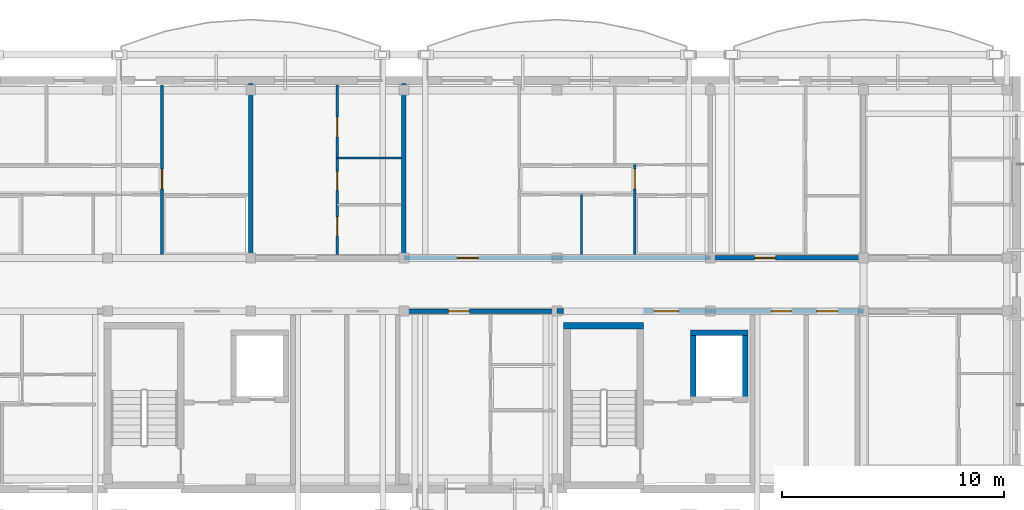
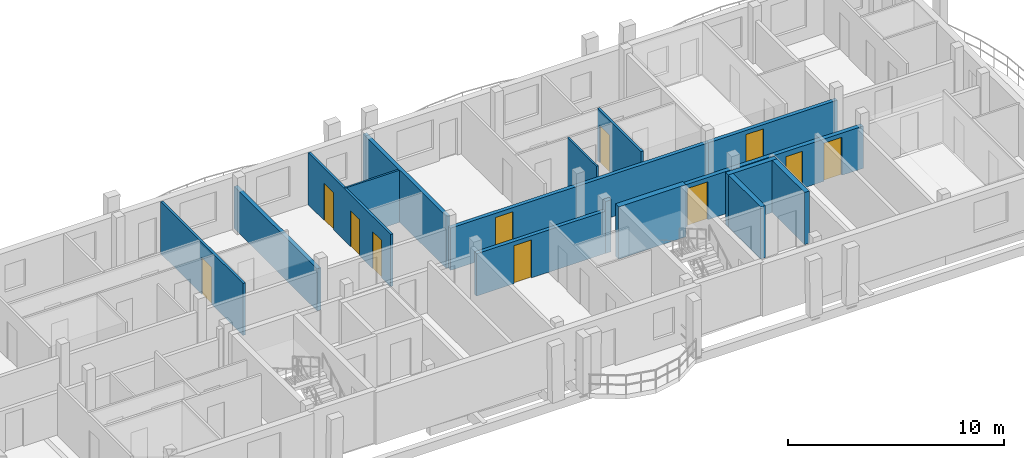
# One storey, part 33 of 48: 16 walls, 11 doors, 11 openings.
"""IFC4 building model written with IfcOpenShell, lengths in metres."""

from ifc_helpers import new_model, si_unit, direction, frame, frame_2d, origin, origin_with_axes, place, context, subcontext, project, spatial, rectangle, extrude, material, layer, layer_set, type_object, element, fill, save


model = new_model("IFC4")

# Units and contexts
model_context = context("Model", 3, precision=1e-05, world=origin(), true_north=direction((0.0, 1.0)))
body_context = subcontext(model_context, "Body", "Model", "MODEL_VIEW")
ifc_project = project(units=[si_unit("LENGTHUNIT", "METRE"), si_unit("AREAUNIT", "SQUARE_METRE"), si_unit("VOLUMEUNIT", "CUBIC_METRE"), si_unit("PLANEANGLEUNIT", "RADIAN"), si_unit("MASSUNIT", "GRAM", prefix="KILO")], contexts=[model_context])

# Site, building, storey
site_placement = place(None, origin())
site = spatial("IfcSite", under=ifc_project, at=site_placement, CompositionType="ELEMENT")
building_placement = place(site_placement, origin())
building = spatial("IfcBuilding", under=site, at=building_placement, Name="Zavelmont Quarter", CompositionType="ELEMENT")
storey_placement = place(building_placement, frame((0.0, 0.0, 17.60009765625)))
storey = spatial("IfcBuildingStorey", under=building, at=storey_placement, Name="L05", CompositionType="ELEMENT", Elevation=17.60009765625)

# Walls
ifc_material_1 = material(Name="Calcium-silicate blockwork and acoustic plaster", Category="masonry")
ifc_layer_1 = layer(ifc_material_1, 0.199951171875)
ifc_layer_set_1 = layer_set([ifc_layer_1], Name="Calcium-silicate blockwork and acoustic plaster")
wall_type_1 = type_object("IfcWallType", Name="IW01", PredefinedType="PARTITIONING", material=ifc_layer_set_1)
wall_1_placement = place(storey_placement, frame((133.5, 108.14990234375, 0.0), z_axis=(0.0, 0.0, 1.0), x_axis=(0.0, 1.0, 0.0)))
element("IfcWall", 1, at=wall_1_placement, inside=storey, type_object=wall_type_1, Name="L05 Inter-dwelling compartment wall IW01", PredefinedType="PARTITIONING", context=body_context, shape_type="SweptSolid", body=[
    extrude(rectangle(XDim=7.7001953125, YDim=0.199951171875, at=frame_2d((3.85009765625, 0.0))), origin(), (0.0, 0.0, 1.0), 2.389892578125),
])
wall_2_placement = place(storey_placement, frame((140.39990234375, 108.14990234375, 0.0), z_axis=(0.0, 0.0, 1.0), x_axis=(0.0, 1.0, 0.0)))
element("IfcWall", 2, at=wall_2_placement, inside=storey, type_object=wall_type_1, Name="L05 Inter-dwelling compartment wall IW01", PredefinedType="PARTITIONING", context=body_context, shape_type="SweptSolid", body=[
    extrude(rectangle(XDim=7.7001953125, YDim=0.199951171875, at=frame_2d((3.85009765625, 0.0))), origin(), (0.0, 0.0, 1.0), 2.949951171875),
])

# Wall, opening, door
wall_3_placement = place(storey_placement, frame((140.39990234375, 108.0, 0.0), z_axis=(0.0, 0.0, 1.0), x_axis=(1.0, 0.0, 0.0)))
wall_3 = element("IfcWall", 3, at=wall_3_placement, inside=storey, type_object=wall_type_1, Name="L05 Corridor compartment wall IW01", PredefinedType="PARTITIONING", context=body_context, shape_type="SweptSolid", body=[
    extrude(rectangle(XDim=13.800048828125, YDim=0.199951171875, at=frame_2d((6.89990234375, 0.0))), origin(), (0.0, 0.0, 1.0), 2.389892578125),
])
opening_1_placement = place(wall_3_placement, frame((2.39990234375, 0.0, 0.0)))
opening_1 = element("IfcOpeningElement", 4, at=opening_1_placement, cuts=wall_3, Name="Opening DR02", PredefinedType="OPENING", context=body_context, shape_type="SweptSolid", body=[
    extrude(rectangle(XDim=0.949951171875, YDim=2.14990234375, at=frame_2d((0.47509765625, 1.074951171875))), frame((0.0, 0.11181640625, 0.0), z_axis=(0.0, -1.0, 0.0), x_axis=(1.0, 0.0, 0.0)), (0.0, 0.0, 1.0), 0.223876953125),
])
ifc_material_2 = material(Name="Solid-core oak fire leaf in steel frame", Category="steel")
door_type_1 = type_object("IfcDoorType", Name="DR02", OperationType="NOTDEFINED", PredefinedType="DOOR", material=ifc_material_2)
door_1_placement = place(opening_1_placement, origin_with_axes())
door_1 = element("IfcDoor", 5, at=door_1_placement, inside=storey, type_object=door_type_1, Name="L05 door DR02", OperationType="SINGLE_SWING_RIGHT", OverallHeight=2.14990234375, OverallWidth=0.949951171875, PredefinedType="DOOR", context=body_context, shape_type="SweptSolid", body=[
    extrude(rectangle(XDim=0.949951171875, YDim=2.14990234375, at=frame_2d((0.47509765625, 1.074951171875))), frame((0.0, 0.02490234375, 0.0), z_axis=(0.0, -1.0, 0.0), x_axis=(1.0, 0.0, 0.0)), (0.0, 0.0, 1.0), 0.050048828125),
])
fill(opening_1, door_1)

wall_4_placement = place(storey_placement, frame((154.199951171875, 108.0, 0.0), z_axis=(0.0, 0.0, 1.0), x_axis=(1.0, 0.0, 0.0)))
wall_4 = element("IfcWall", 6, at=wall_4_placement, inside=storey, type_object=wall_type_1, Name="L05 Corridor compartment wall IW01", PredefinedType="PARTITIONING", context=body_context, shape_type="SweptSolid", body=[
    extrude(rectangle(XDim=6.900146484375, YDim=0.199951171875, at=frame_2d((3.4501953125, 0.0))), origin(), (0.0, 0.0, 1.0), 2.389892578125),
])
opening_2_placement = place(wall_4_placement, frame((2.0, 0.0, 0.0)))
opening_2 = element("IfcOpeningElement", 7, at=opening_2_placement, cuts=wall_4, Name="Opening DR02", PredefinedType="OPENING", context=body_context, shape_type="SweptSolid", body=[
    extrude(rectangle(XDim=0.949951171875, YDim=2.14990234375, at=frame_2d((0.47509765625, 1.074951171875))), frame((0.0, 0.11181640625, 0.0), z_axis=(0.0, -1.0, 0.0), x_axis=(1.0, 0.0, 0.0)), (0.0, 0.0, 1.0), 0.223876953125),
])
door_2_placement = place(opening_2_placement, origin_with_axes())
door_2 = element("IfcDoor", 8, at=door_2_placement, inside=storey, type_object=door_type_1, Name="L05 door DR02", OperationType="SINGLE_SWING_LEFT", OverallHeight=2.14990234375, OverallWidth=0.949951171875, PredefinedType="DOOR", context=body_context, shape_type="SweptSolid", body=[
    extrude(rectangle(XDim=0.949951171875, YDim=2.14990234375, at=frame_2d((0.47509765625, 1.074951171875))), frame((0.0, 0.02490234375, 0.0), z_axis=(0.0, -1.0, 0.0), x_axis=(1.0, 0.0, 0.0)), (0.0, 0.0, 1.0), 0.050048828125),
])
fill(opening_2, door_2)

wall_5_placement = place(storey_placement, frame((140.39990234375, 105.60009765625, 0.0), z_axis=(0.0, 0.0, 1.0), x_axis=(1.0, 0.0, 0.0)))
wall_5 = element("IfcWall", 9, at=wall_5_placement, inside=storey, type_object=wall_type_1, Name="L05 Corridor compartment wall IW01", PredefinedType="PARTITIONING", context=body_context, shape_type="SweptSolid", body=[
    extrude(rectangle(XDim=6.900146484375, YDim=0.199951171875, at=frame_2d((3.4501953125, 0.0))), origin(), (0.0, 0.0, 1.0), 2.389892578125),
])
opening_3_placement = place(wall_5_placement, frame((2.0, 0.0, 0.0)))
opening_3 = element("IfcOpeningElement", 10, at=opening_3_placement, cuts=wall_5, Name="Opening DR02", PredefinedType="OPENING", context=body_context, shape_type="SweptSolid", body=[
    extrude(rectangle(XDim=0.949951171875, YDim=2.14990234375, at=frame_2d((0.47509765625, 1.074951171875))), frame((0.0, 0.11181640625, 0.0), z_axis=(0.0, -1.0, 0.0), x_axis=(1.0, 0.0, 0.0)), (0.0, 0.0, 1.0), 0.223876953125),
])
door_3_placement = place(opening_3_placement, frame((0.949951171875, 0.0, 0.0), z_axis=(0.0, 0.0, 1.0), x_axis=(-1.0, 0.0, 0.0)))
door_3 = element("IfcDoor", 11, at=door_3_placement, inside=storey, type_object=door_type_1, Name="L05 door DR02", OperationType="SINGLE_SWING_LEFT", OverallHeight=2.14990234375, OverallWidth=0.949951171875, PredefinedType="DOOR", context=body_context, shape_type="SweptSolid", body=[
    extrude(rectangle(XDim=0.949951171875, YDim=2.14990234375, at=frame_2d((0.47509765625, 1.074951171875))), frame((0.0, 0.02490234375, 0.0), z_axis=(0.0, -1.0, 0.0), x_axis=(1.0, 0.0, 0.0)), (0.0, 0.0, 1.0), 0.050048828125),
])
fill(opening_3, door_3)

# Wall
ifc_material_3 = material(Name="Reinforced masonry fire compartment wall", Category="masonry")
ifc_layer_2 = layer(ifc_material_3, 0.22509765625)
ifc_layer_set_2 = layer_set([ifc_layer_2], Name="Reinforced masonry fire compartment wall")
wall_type_2 = type_object("IfcWallType", Name="IW02", PredefinedType="PARTITIONING", material=ifc_layer_set_2)
wall_6_placement = place(storey_placement, frame((147.300048828125, 105.60009765625, 0.0), z_axis=(0.0, 0.0, 1.0), x_axis=(1.0, 0.0, 0.0)))
element("IfcWall", 12, at=wall_6_placement, inside=storey, type_object=wall_type_2, Name="L05 Core corridor wall IW02", PredefinedType="PARTITIONING", context=body_context, shape_type="SweptSolid", body=[
    extrude(rectangle(XDim=0.300048828125, YDim=0.22509765625, at=frame_2d((0.14990234375, 0.0))), origin(), (0.0, 0.0, 1.0), 2.949951171875),
])

# Wall, openings, doors
wall_7_placement = place(storey_placement, frame((151.199951171875, 105.60009765625, 0.0), z_axis=(0.0, 0.0, 1.0), x_axis=(1.0, 0.0, 0.0)))
wall_7 = element("IfcWall", 13, at=wall_7_placement, inside=storey, type_object=wall_type_2, Name="L05 Core corridor fire wall IW02", PredefinedType="PARTITIONING", context=body_context, shape_type="SweptSolid", body=[
    extrude(rectangle(XDim=9.900146484375, YDim=0.22509765625, at=frame_2d((4.9501953125, 0.0))), origin(), (0.0, 0.0, 1.0), 2.389892578125),
])
opening_4_placement = place(wall_7_placement, frame((0.47509765625, 0.0, 0.0)))
opening_4 = element("IfcOpeningElement", 14, at=opening_4_placement, cuts=wall_7, Name="Opening DR10", PredefinedType="OPENING", context=body_context, shape_type="SweptSolid", body=[
    extrude(rectangle(XDim=1.10009765625, YDim=2.14990234375, at=frame_2d((0.550048828125, 1.074951171875))), frame((0.0, 0.12451171875, 0.0), z_axis=(0.0, -1.0, 0.0), x_axis=(1.0, 0.0, 0.0)), (0.0, 0.0, 1.0), 0.2490234375),
])
opening_5_placement = place(wall_7_placement, frame((5.75, 0.0, 0.0)))
opening_5 = element("IfcOpeningElement", 15, at=opening_5_placement, cuts=wall_7, Name="Opening DR11", PredefinedType="OPENING", context=body_context, shape_type="SweptSolid", body=[
    extrude(rectangle(XDim=0.89990234375, YDim=2.10009765625, at=frame_2d((0.449951171875, 1.050048828125))), frame((0.0, 0.12451171875, 0.0), z_axis=(0.0, -1.0, 0.0), x_axis=(1.0, 0.0, 0.0)), (0.0, 0.0, 1.0), 0.2490234375),
])
opening_6_placement = place(wall_7_placement, frame((7.800048828125, 0.0, 0.0)))
opening_6 = element("IfcOpeningElement", 16, at=opening_6_placement, cuts=wall_7, Name="Opening DR02", PredefinedType="OPENING", context=body_context, shape_type="SweptSolid", body=[
    extrude(rectangle(XDim=0.949951171875, YDim=2.14990234375, at=frame_2d((0.47509765625, 1.074951171875))), frame((0.0, 0.12451171875, 0.0), z_axis=(0.0, -1.0, 0.0), x_axis=(1.0, 0.0, 0.0)), (0.0, 0.0, 1.0), 0.2490234375),
])
door_4_placement = place(opening_6_placement, origin_with_axes())
door_4 = element("IfcDoor", 17, at=door_4_placement, inside=storey, type_object=door_type_1, Name="Auxiliary store corridor door", OperationType="SINGLE_SWING_RIGHT", OverallHeight=2.14990234375, OverallWidth=0.949951171875, PredefinedType="DOOR", context=body_context, shape_type="SweptSolid", body=[
    extrude(rectangle(XDim=0.949951171875, YDim=2.14990234375, at=frame_2d((0.47509765625, 1.074951171875))), frame((0.0, 0.02490234375, 0.0), z_axis=(0.0, -1.0, 0.0), x_axis=(1.0, 0.0, 0.0)), (0.0, 0.0, 1.0), 0.050048828125),
])
fill(opening_6, door_4)
ifc_material_4 = material(Name="Painted steel lobby fire door", Category="steel")
door_type_2 = type_object("IfcDoorType", Name="DR10", OperationType="NOTDEFINED", PredefinedType="DOOR", material=ifc_material_4)
door_5_placement = place(opening_4_placement, frame((1.10009765625, 0.0, 0.0), z_axis=(0.0, 0.0, 1.0), x_axis=(-1.0, 0.0, 0.0)))
door_5 = element("IfcDoor", 18, at=door_5_placement, inside=storey, type_object=door_type_2, Name="Core vestibule fire door", OperationType="SINGLE_SWING_LEFT", OverallHeight=2.14990234375, OverallWidth=1.10009765625, PredefinedType="DOOR", context=body_context, shape_type="SweptSolid", body=[
    extrude(rectangle(XDim=1.10009765625, YDim=2.14990234375, at=frame_2d((0.550048828125, 1.074951171875))), frame((0.0, 0.02490234375, 0.0), z_axis=(0.0, -1.0, 0.0), x_axis=(1.0, 0.0, 0.0)), (0.0, 0.0, 1.0), 0.050048828125),
])
fill(opening_4, door_5)
ifc_material_5 = material(Name="Painted steel service-riser fire door", Category="steel")
door_type_3 = type_object("IfcDoorType", Name="DR11", OperationType="NOTDEFINED", PredefinedType="DOOR", material=ifc_material_5)
door_6_placement = place(opening_5_placement, origin_with_axes())
door_6 = element("IfcDoor", 19, at=door_6_placement, inside=storey, type_object=door_type_3, Name="Service riser fire door", OperationType="SINGLE_SWING_LEFT", OverallHeight=2.10009765625, OverallWidth=0.89990234375, PredefinedType="DOOR", context=body_context, shape_type="SweptSolid", body=[
    extrude(rectangle(XDim=0.89990234375, YDim=2.10009765625, at=frame_2d((0.449951171875, 1.050048828125))), frame((0.0, 0.02490234375, 0.0), z_axis=(0.0, -1.0, 0.0), x_axis=(1.0, 0.0, 0.0)), (0.0, 0.0, 1.0), 0.050048828125),
])
fill(opening_5, door_6)

# Wall, opening, door
ifc_material_6 = material(Name="Double gypsum board on acoustic steel stud", Category="steel")
ifc_layer_3 = layer(ifc_material_6, 0.125)
ifc_layer_set_3 = layer_set([ifc_layer_3], Name="Double gypsum board on acoustic steel stud")
wall_type_3 = type_object("IfcWallType", Name="IW03", PredefinedType="PARTITIONING", material=ifc_layer_set_3)
wall_8_placement = place(storey_placement, frame((129.5, 108.14990234375, 0.0), z_axis=(0.0, 0.0, 1.0), x_axis=(0.0, 1.0, 0.0)))
wall_8 = element("IfcWall", 20, at=wall_8_placement, inside=storey, type_object=wall_type_3, Name="L05 Partition IW03", PredefinedType="PARTITIONING", context=body_context, shape_type="SweptSolid", body=[
    extrude(rectangle(XDim=7.650146484375, YDim=0.125, at=frame_2d((3.8251953125, 0.0))), origin(), (0.0, 0.0, 1.0), 2.949951171875),
])
opening_7_placement = place(wall_8_placement, frame((2.949951171875, 0.0, 0.0)))
opening_7 = element("IfcOpeningElement", 21, at=opening_7_placement, cuts=wall_8, Name="Opening DR05", PredefinedType="OPENING", context=body_context, shape_type="SweptSolid", body=[
    extrude(rectangle(XDim=0.89990234375, YDim=2.10009765625, at=frame_2d((0.449951171875, 1.050048828125))), frame((0.0, 0.074462890625, 0.0), z_axis=(0.0, -1.0, 0.0), x_axis=(1.0, 0.0, 0.0)), (0.0, 0.0, 1.0), 0.14892578125),
])
ifc_material_7 = material(Name="Engineered oak flush interior door")
door_type_4 = type_object("IfcDoorType", Name="DR05", OperationType="NOTDEFINED", PredefinedType="DOOR", material=ifc_material_7)
door_7_placement = place(opening_7_placement, frame((0.89990234375, 0.0, 0.0), z_axis=(0.0, 0.0, 1.0), x_axis=(-1.0, 0.0, 0.0)))
door_7 = element("IfcDoor", 22, at=door_7_placement, inside=storey, type_object=door_type_4, Name="L05 door DR05", OperationType="SINGLE_SWING_RIGHT", OverallHeight=2.10009765625, OverallWidth=0.89990234375, PredefinedType="DOOR", context=body_context, shape_type="SweptSolid", body=[
    extrude(rectangle(XDim=0.89990234375, YDim=2.10009765625, at=frame_2d((0.449951171875, 1.050048828125))), frame((0.0, 0.02490234375, 0.0), z_axis=(0.0, -1.0, 0.0), x_axis=(1.0, 0.0, 0.0)), (0.0, 0.0, 1.0), 0.050048828125),
])
fill(opening_7, door_7)

# Wall, openings, doors
wall_9_placement = place(storey_placement, frame((137.39990234375, 108.14990234375, 0.0), z_axis=(0.0, 0.0, 1.0), x_axis=(0.0, 1.0, 0.0)))
wall_9 = element("IfcWall", 23, at=wall_9_placement, inside=storey, type_object=wall_type_3, Name="L05 Partition IW03", PredefinedType="PARTITIONING", context=body_context, shape_type="SweptSolid", body=[
    extrude(rectangle(XDim=7.650146484375, YDim=0.125, at=frame_2d((3.8251953125, 0.0))), origin(), (0.0, 0.0, 1.0), 2.949951171875),
])
opening_8_placement = place(wall_9_placement, frame((0.85009765625, 0.0, 0.0)))
opening_8 = element("IfcOpeningElement", 24, at=opening_8_placement, cuts=wall_9, Name="Opening DR16", PredefinedType="OPENING", context=body_context, shape_type="SweptSolid", body=[
    extrude(rectangle(XDim=0.85009765625, YDim=2.10009765625, at=frame_2d((0.425048828125, 1.050048828125))), frame((0.0, 0.074462890625, 0.0), z_axis=(0.0, -1.0, 0.0), x_axis=(1.0, 0.0, 0.0)), (0.0, 0.0, 1.0), 0.14892578125),
])
opening_9_placement = place(wall_9_placement, frame((2.89990234375, 0.0, 0.0)))
opening_9 = element("IfcOpeningElement", 25, at=opening_9_placement, cuts=wall_9, Name="Opening DR06", PredefinedType="OPENING", context=body_context, shape_type="SweptSolid", body=[
    extrude(rectangle(XDim=0.85009765625, YDim=2.050048828125, at=frame_2d((0.425048828125, 1.02490234375))), frame((0.0, 0.074462890625, 0.0), z_axis=(0.0, -1.0, 0.0), x_axis=(1.0, 0.0, 0.0)), (0.0, 0.0, 1.0), 0.14892578125),
])
opening_10_placement = place(wall_9_placement, frame((5.300048828125, 0.0, 0.0)))
opening_10 = element("IfcOpeningElement", 26, at=opening_10_placement, cuts=wall_9, Name="Opening DR05", PredefinedType="OPENING", context=body_context, shape_type="SweptSolid", body=[
    extrude(rectangle(XDim=0.89990234375, YDim=2.10009765625, at=frame_2d((0.449951171875, 1.050048828125))), frame((0.0, 0.074462890625, 0.0), z_axis=(0.0, -1.0, 0.0), x_axis=(1.0, 0.0, 0.0)), (0.0, 0.0, 1.0), 0.14892578125),
])
door_8_placement = place(opening_10_placement, frame((0.89990234375, 0.0, 0.0), z_axis=(0.0, 0.0, 1.0), x_axis=(-1.0, 0.0, 0.0)))
door_8 = element("IfcDoor", 27, at=door_8_placement, inside=storey, type_object=door_type_4, Name="L05 door DR05", OperationType="SINGLE_SWING_LEFT", OverallHeight=2.10009765625, OverallWidth=0.89990234375, PredefinedType="DOOR", context=body_context, shape_type="SweptSolid", body=[
    extrude(rectangle(XDim=0.89990234375, YDim=2.10009765625, at=frame_2d((0.449951171875, 1.050048828125))), frame((0.0, 0.02490234375, 0.0), z_axis=(0.0, -1.0, 0.0), x_axis=(1.0, 0.0, 0.0)), (0.0, 0.0, 1.0), 0.050048828125),
])
fill(opening_10, door_8)
ifc_material_8 = material(Name="Moisture-resistant painted wet-room door")
door_type_5 = type_object("IfcDoorType", Name="DR06", OperationType="NOTDEFINED", PredefinedType="DOOR", material=ifc_material_8)
door_9_placement = place(opening_9_placement, origin_with_axes())
door_9 = element("IfcDoor", 28, at=door_9_placement, inside=storey, type_object=door_type_5, Name="L05 door DR06", OperationType="SINGLE_SWING_RIGHT", OverallHeight=2.050048828125, OverallWidth=0.85009765625, PredefinedType="DOOR", context=body_context, shape_type="SweptSolid", body=[
    extrude(rectangle(XDim=0.85009765625, YDim=2.050048828125, at=frame_2d((0.425048828125, 1.02490234375))), frame((0.0, 0.02490234375, 0.0), z_axis=(0.0, -1.0, 0.0), x_axis=(1.0, 0.0, 0.0)), (0.0, 0.0, 1.0), 0.050048828125),
])
fill(opening_9, door_9)
door_type_6 = type_object("IfcDoorType", Name="DR16", OperationType="NOTDEFINED", PredefinedType="DOOR", material=ifc_material_7)
door_10_placement = place(opening_8_placement, frame((0.85009765625, 0.0, 0.0), z_axis=(0.0, 0.0, 1.0), x_axis=(-1.0, 0.0, 0.0)))
door_10 = element("IfcDoor", 29, at=door_10_placement, inside=storey, type_object=door_type_6, Name="L05 door DR16", OperationType="SINGLE_SWING_LEFT", OverallHeight=2.10009765625, OverallWidth=0.85009765625, PredefinedType="DOOR", context=body_context, shape_type="SweptSolid", body=[
    extrude(rectangle(XDim=0.85009765625, YDim=2.10009765625, at=frame_2d((0.425048828125, 1.050048828125))), frame((0.0, 0.02490234375, 0.0), z_axis=(0.0, -1.0, 0.0), x_axis=(1.0, 0.0, 0.0)), (0.0, 0.0, 1.0), 0.050048828125),
])
fill(opening_8, door_10)

# Wall, opening, door
wall_10_placement = place(storey_placement, frame((150.800048828125, 108.14990234375, 0.0), z_axis=(0.0, 0.0, 1.0), x_axis=(0.0, 1.0, 0.0)))
wall_10 = element("IfcWall", 30, at=wall_10_placement, inside=storey, type_object=wall_type_3, Name="L05 Partition IW03", PredefinedType="PARTITIONING", context=body_context, shape_type="SweptSolid", body=[
    extrude(rectangle(XDim=4.050048828125, YDim=0.125, at=frame_2d((2.02490234375, 0.0))), origin(), (0.0, 0.0, 1.0), 2.949951171875),
])
opening_11_placement = place(wall_10_placement, frame((2.949951171875, 0.0, 0.0)))
opening_11 = element("IfcOpeningElement", 31, at=opening_11_placement, cuts=wall_10, Name="Opening DR05", PredefinedType="OPENING", context=body_context, shape_type="SweptSolid", body=[
    extrude(rectangle(XDim=0.89990234375, YDim=2.10009765625, at=frame_2d((0.449951171875, 1.050048828125))), frame((0.0, 0.074462890625, 0.0), z_axis=(0.0, -1.0, 0.0), x_axis=(1.0, 0.0, 0.0)), (0.0, 0.0, 1.0), 0.14892578125),
])
door_11_placement = place(opening_11_placement, origin_with_axes())
door_11 = element("IfcDoor", 32, at=door_11_placement, inside=storey, type_object=door_type_4, Name="L05 door DR05", OperationType="SINGLE_SWING_LEFT", OverallHeight=2.10009765625, OverallWidth=0.89990234375, PredefinedType="DOOR", context=body_context, shape_type="SweptSolid", body=[
    extrude(rectangle(XDim=0.89990234375, YDim=2.10009765625, at=frame_2d((0.449951171875, 1.050048828125))), frame((0.0, 0.02490234375, 0.0), z_axis=(0.0, -1.0, 0.0), x_axis=(1.0, 0.0, 0.0)), (0.0, 0.0, 1.0), 0.050048828125),
])
fill(opening_11, door_11)

# Walls
ifc_material_9 = material(Name="Moisture-resistant gypsum board on steel stud", Category="steel")
ifc_layer_4 = layer(ifc_material_9, 0.10009765625)
ifc_layer_set_4 = layer_set([ifc_layer_4], Name="Moisture-resistant gypsum board on steel stud")
wall_type_4 = type_object("IfcWallType", Name="IW04", PredefinedType="PARTITIONING", material=ifc_layer_set_4)
wall_11_placement = place(storey_placement, frame((137.39990234375, 112.5, 0.0), z_axis=(0.0, 0.0, 1.0), x_axis=(1.0, 0.0, 0.0)))
element("IfcWall", 33, at=wall_11_placement, inside=storey, type_object=wall_type_4, Name="L05 Partition IW04", PredefinedType="PARTITIONING", context=body_context, shape_type="SweptSolid", body=[
    extrude(rectangle(XDim=2.900146484375, YDim=0.10009765625, at=frame_2d((1.4501953125, 0.0))), origin(), (0.0, 0.0, 1.0), 2.949951171875),
])
wall_12_placement = place(storey_placement, frame((148.39990234375, 108.14990234375, 0.0), z_axis=(0.0, 0.0, 1.0), x_axis=(0.0, 1.0, 0.0)))
element("IfcWall", 34, at=wall_12_placement, inside=storey, type_object=wall_type_4, Name="L05 Partition IW04", PredefinedType="PARTITIONING", context=body_context, shape_type="SweptSolid", body=[
    extrude(rectangle(XDim=2.7001953125, YDim=0.10009765625, at=frame_2d((1.35009765625, 0.0))), origin(), (0.0, 0.0, 1.0), 2.949951171875),
])
ifc_material_10 = material(Name="Concrete C40/50", Category="concrete")
ifc_layer_5 = layer(ifc_material_10, 0.300048828125)
ifc_layer_set_5 = layer_set([ifc_layer_5], Name="Concrete C40/50")
wall_type_5 = type_object("IfcWallType", Name="SW01", PredefinedType="SHEAR", material=ifc_layer_set_5)
wall_13_placement = place(storey_placement, frame((147.60009765625, 104.949951171875, 0.0), z_axis=(0.0, 0.0, 1.0), x_axis=(1.0, 0.0, 0.0)))
element("IfcWall", 35, at=wall_13_placement, inside=storey, type_object=wall_type_5, Name="L05 ST06 corridor shear wall SW01", PredefinedType="SHEAR", context=body_context, shape_type="SweptSolid", body=[
    extrude(rectangle(XDim=3.599853515625, YDim=0.300048828125, at=frame_2d((1.7998046875, 0.0))), origin(), (0.0, 0.0, 1.0), 2.949951171875),
])
ifc_layer_6 = layer(ifc_material_10, 0.25)
ifc_layer_set_6 = layer_set([ifc_layer_6], Name="Concrete C40/50")
wall_type_6 = type_object("IfcWallType", Name="SW02", PredefinedType="SHEAR", material=ifc_layer_set_6)
wall_14_placement = place(storey_placement, frame((153.300048828125, 104.625, 0.0), z_axis=(0.0, 0.0, 1.0), x_axis=(1.0, 0.0, 0.0)))
element("IfcWall", 36, at=wall_14_placement, inside=storey, type_object=wall_type_6, Name="L05 Lift LF06 back shaft wall SW02", PredefinedType="SHEAR", context=body_context, shape_type="SweptSolid", body=[
    extrude(rectangle(XDim=2.599853515625, YDim=0.25, at=frame_2d((1.2998046875, 0.0))), origin(), (0.0, 0.0, 1.0), 2.949951171875),
])
for number, where, z_axis, x_axis, name in (
    (37, (153.425048828125, 101.5, 0.0), (0.0, 0.0, 1.0), (0.0, 1.0, 0.0), "L05 Lift LF06 west shaft wall SW02"),
    (38, (155.77490234375, 101.5, 0.0), (0.0, 0.0, 1.0), (0.0, 1.0, 0.0), "L05 Lift LF06 east shaft wall SW02"),
):
    element("IfcWall", number, at=place(storey_placement, frame(where, z_axis=z_axis, x_axis=x_axis)), inside=storey, type_object=wall_type_6, Name=name, PredefinedType="SHEAR", context=body_context, shape_type="SweptSolid", body=[
        extrude(rectangle(XDim=3.25, YDim=0.25, at=frame_2d((1.625, 0.0))), origin(), (0.0, 0.0, 1.0), 2.949951171875),
    ])

save(model, "model.ifc")
